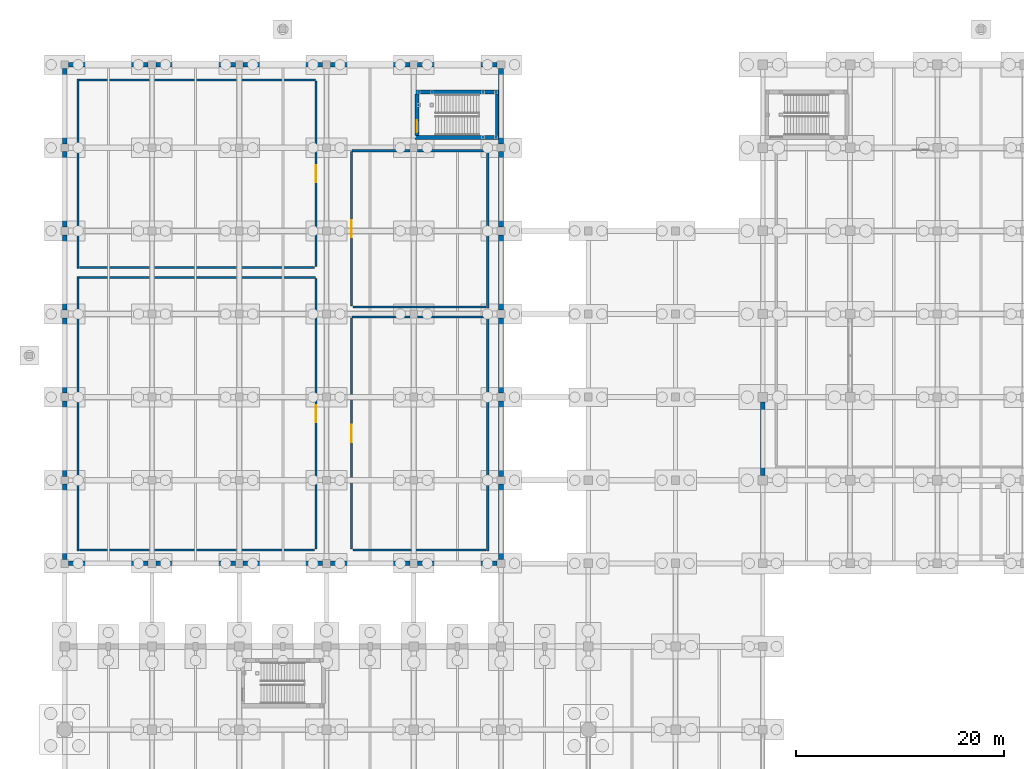
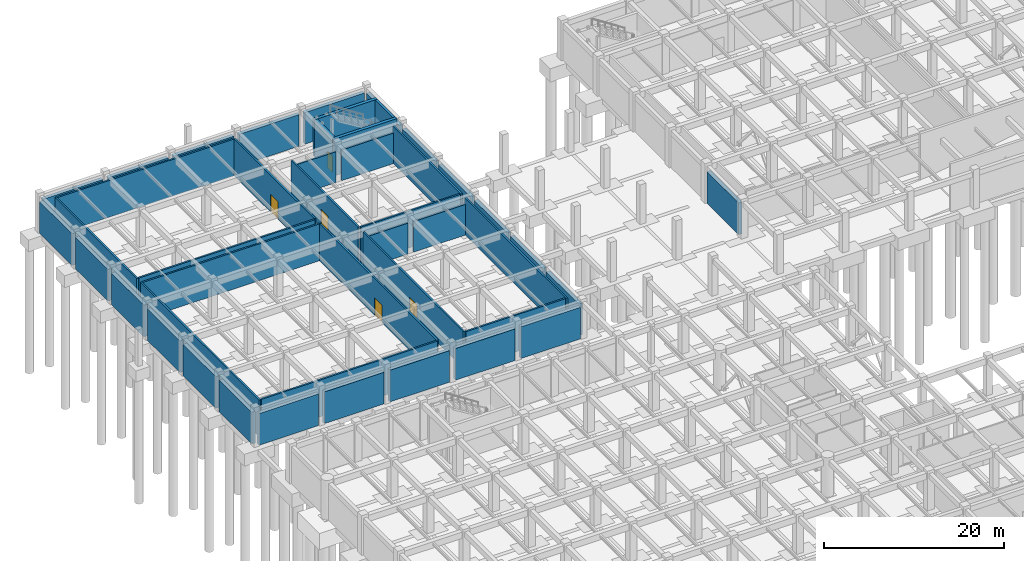
# One storey, part 39 of 56: 45 walls, 5 doors, 5 openings.
"""IFC4 building model written with IfcOpenShell, lengths in metres."""

from ifc_helpers import new_model, si_unit, direction, frame, frame_2d, origin, place, context, subcontext, project, spatial, rectangle, extrude, material, layer, layer_set, type_object, element, fill, save


model = new_model("IFC4")

# Units and contexts
model_context = context("Model", 3, precision=1e-05, world=origin(), true_north=direction((0.0, 1.0)))
body_context = subcontext(model_context, "Body", "Model", "MODEL_VIEW")
ifc_project = project(units=[si_unit("LENGTHUNIT", "METRE"), si_unit("AREAUNIT", "SQUARE_METRE"), si_unit("VOLUMEUNIT", "CUBIC_METRE"), si_unit("PLANEANGLEUNIT", "RADIAN"), si_unit("MASSUNIT", "GRAM", prefix="KILO")], contexts=[model_context])

# Site, building, storey
site_placement = place(None, origin())
site = spatial("IfcSite", under=ifc_project, at=site_placement, CompositionType="ELEMENT")
building_placement = place(site_placement, origin())
building = spatial("IfcBuilding", under=site, at=building_placement, Name="Naruveol Harbour Congress Hotel", CompositionType="ELEMENT")
storey_placement = place(building_placement, frame((0.0, 0.0, -5.39990234375)))
storey = spatial("IfcBuildingStorey", under=building, at=storey_placement, Name="B01", CompositionType="ELEMENT", Elevation=-5.39990234375)

# Wall, opening, door
ifc_material_1 = material(Name="Concrete C40/50", Category="concrete")
ifc_layer_1 = layer(ifc_material_1, 0.219970703125)
ifc_layer_set_1 = layer_set([ifc_layer_1], Name="Concrete C40/50")
wall_type_1 = type_object("IfcWallType", Name="FIRE COMPARTMENT AND LOBBY WALL 220 EI120", PredefinedType="PARTITIONING", material=ifc_layer_set_1)
wall_1_placement = place(storey_placement, frame((24.199951171875, 65.360107421875, 0.0), z_axis=(0.0, 0.0, 1.0), x_axis=(0.0, 1.0, 0.0)))
wall_1 = element("IfcWall", 1, at=wall_1_placement, inside=storey, type_object=wall_type_1, Name="Central Chiller and Heat-Pump Plant east entry wall FW-220", PredefinedType="PARTITIONING", context=body_context, shape_type="SweptSolid", body=[
    extrude(rectangle(XDim=26.079833984375, YDim=0.219970703125, at=frame_2d((13.0400390625, 0.0))), origin(), (0.0, 0.0, 1.0), 4.994873046875),
])
opening_1_placement = place(wall_1_placement, frame((12.215087890625, 0.0, 0.0)))
opening_1 = element("IfcOpeningElement", 2, at=opening_1_placement, cuts=wall_1, Name="Opening FD-PL-01", PredefinedType="OPENING", context=body_context, shape_type="SweptSolid", body=[
    extrude(rectangle(XDim=1.64990234375, YDim=2.39990234375, at=frame_2d((0.824951171875, 1.199951171875))), frame((0.0, 0.119873046875, 0.0), z_axis=(0.0, -1.0, 0.0), x_axis=(1.0, 0.0, 0.0)), (0.0, 0.0, 1.0), 0.239990234375),
])
ifc_material_2 = material(Name="Timber & Steel Acoustic Leaf", Category="steel")
door_type_1 = type_object("IfcDoorType", Name="PLANT AND SUBSTATION FIRE DOOR 1650X2400", OperationType="DOUBLE_DOOR_SINGLE_SWING", PredefinedType="DOOR", material=ifc_material_2)
door_1_placement = place(opening_1_placement, origin())
door_1 = element("IfcDoor", 3, at=door_1_placement, inside=storey, type_object=door_type_1, Name="Central Chiller and Heat-Pump Plant Fire Door", OperationType="DOUBLE_DOOR_SINGLE_SWING", OverallHeight=2.39990234375, OverallWidth=1.64990234375, PredefinedType="DOOR", context=body_context, shape_type="SweptSolid", body=[
    extrude(rectangle(XDim=1.64990234375, YDim=2.39990234375, at=frame_2d((0.824951171875, 1.199951171875))), frame((0.0, 0.02490234375, 0.0), z_axis=(0.0, -1.0, 0.0), x_axis=(1.0, 0.0, 0.0)), (0.0, 0.0, 1.0), 0.050048828125),
])
fill(opening_1, door_1)

# Wall
wall_2_placement = place(storey_placement, frame((1.449951171875, 65.280029296875, 0.0), z_axis=(0.0, 0.0, 1.0), x_axis=(1.0, 0.0, 0.0)))
element("IfcWall", 4, at=wall_2_placement, inside=storey, type_object=wall_type_1, Name="Central Chiller and Heat-Pump Plant south partition FW-220", PredefinedType="PARTITIONING", context=body_context, shape_type="SweptSolid", body=[
    extrude(rectangle(XDim=22.610107421875, YDim=0.219970703125, at=frame_2d((11.30517578125, 0.0))), origin(), (0.0, 0.0, 1.0), 4.994873046875),
])

# Wall, opening, door
wall_3_placement = place(storey_placement, frame((24.199951171875, 92.56005859375, 0.0), z_axis=(0.0, 0.0, 1.0), x_axis=(0.0, 1.0, 0.0)))
wall_3 = element("IfcWall", 5, at=wall_3_placement, inside=storey, type_object=wall_type_1, Name="Electrical Substation Room east entry wall FW-220", PredefinedType="PARTITIONING", context=body_context, shape_type="SweptSolid", body=[
    extrude(rectangle(XDim=17.8798828125, YDim=0.219970703125, at=frame_2d((8.93994140625, 0.0))), origin(), (0.0, 0.0, 1.0), 4.994873046875),
])
opening_2_placement = place(wall_3_placement, frame((8.114990234375, 0.0, 0.0)))
opening_2 = element("IfcOpeningElement", 6, at=opening_2_placement, cuts=wall_3, Name="Opening FD-PL-02", PredefinedType="OPENING", context=body_context, shape_type="SweptSolid", body=[
    extrude(rectangle(XDim=1.64990234375, YDim=2.39990234375, at=frame_2d((0.824951171875, 1.199951171875))), frame((0.0, 0.119873046875, 0.0), z_axis=(0.0, -1.0, 0.0), x_axis=(1.0, 0.0, 0.0)), (0.0, 0.0, 1.0), 0.239990234375),
])
door_2_placement = place(opening_2_placement, origin())
door_2 = element("IfcDoor", 7, at=door_2_placement, inside=storey, type_object=door_type_1, Name="Electrical Substation Room Fire Door", OperationType="DOUBLE_DOOR_SINGLE_SWING", OverallHeight=2.39990234375, OverallWidth=1.64990234375, PredefinedType="DOOR", context=body_context, shape_type="SweptSolid", body=[
    extrude(rectangle(XDim=1.64990234375, YDim=2.39990234375, at=frame_2d((0.824951171875, 1.199951171875))), frame((0.0, 0.02490234375, 0.0), z_axis=(0.0, -1.0, 0.0), x_axis=(1.0, 0.0, 0.0)), (0.0, 0.0, 1.0), 0.050048828125),
])
fill(opening_2, door_2)

# Wall
wall_4_placement = place(storey_placement, frame((1.449951171875, 92.47998046875, 0.0), z_axis=(0.0, 0.0, 1.0), x_axis=(1.0, 0.0, 0.0)))
element("IfcWall", 8, at=wall_4_placement, inside=storey, type_object=wall_type_1, Name="Electrical Substation Room south partition FW-220", PredefinedType="PARTITIONING", context=body_context, shape_type="SweptSolid", body=[
    extrude(rectangle(XDim=22.610107421875, YDim=0.219970703125, at=frame_2d((11.30517578125, 0.0))), origin(), (0.0, 0.0, 1.0), 4.994873046875),
])

# Wall, opening, door
wall_5_placement = place(storey_placement, frame((27.60009765625, 65.360107421875, 0.0), z_axis=(0.0, 0.0, 1.0), x_axis=(0.0, 1.0, 0.0)))
wall_5 = element("IfcWall", 9, at=wall_5_placement, inside=storey, type_object=wall_type_1, Name="Fire Water Tank and Pump Room west entry wall FW-220", PredefinedType="PARTITIONING", context=body_context, shape_type="SweptSolid", body=[
    extrude(rectangle(XDim=22.27978515625, YDim=0.219970703125, at=frame_2d((11.139892578125, 0.0))), origin(), (0.0, 0.0, 1.0), 4.994873046875),
])
opening_3_placement = place(wall_5_placement, frame((10.31494140625, 0.0, 0.0)))
opening_3 = element("IfcOpeningElement", 10, at=opening_3_placement, cuts=wall_5, Name="Opening FD-PL-03", PredefinedType="OPENING", context=body_context, shape_type="SweptSolid", body=[
    extrude(rectangle(XDim=1.64990234375, YDim=2.39990234375, at=frame_2d((0.824951171875, 1.199951171875))), frame((0.0, 0.119873046875, 0.0), z_axis=(0.0, -1.0, 0.0), x_axis=(1.0, 0.0, 0.0)), (0.0, 0.0, 1.0), 0.239990234375),
])
door_3_placement = place(opening_3_placement, origin())
door_3 = element("IfcDoor", 11, at=door_3_placement, inside=storey, type_object=door_type_1, Name="Fire Water Tank and Pump Room Fire Door", OperationType="DOUBLE_DOOR_SINGLE_SWING", OverallHeight=2.39990234375, OverallWidth=1.64990234375, PredefinedType="DOOR", context=body_context, shape_type="SweptSolid", body=[
    extrude(rectangle(XDim=1.64990234375, YDim=2.39990234375, at=frame_2d((0.824951171875, 1.199951171875))), frame((0.0, 0.02490234375, 0.0), z_axis=(0.0, -1.0, 0.0), x_axis=(1.0, 0.0, 0.0)), (0.0, 0.0, 1.0), 0.050048828125),
])
fill(opening_3, door_3)

# Wall
wall_6_placement = place(storey_placement, frame((27.739990234375, 65.280029296875, 0.0), z_axis=(0.0, 0.0, 1.0), x_axis=(1.0, 0.0, 0.0)))
element("IfcWall", 12, at=wall_6_placement, inside=storey, type_object=wall_type_1, Name="Fire Water Tank and Pump Room south partition FW-220", PredefinedType="PARTITIONING", context=body_context, shape_type="SweptSolid", body=[
    extrude(rectangle(XDim=12.81005859375, YDim=0.219970703125, at=frame_2d((6.405029296875, 0.0))), origin(), (0.0, 0.0, 1.0), 4.994873046875),
])

# Wall, opening, door
wall_7_placement = place(storey_placement, frame((27.60009765625, 88.760009765625, 0.0), z_axis=(0.0, 0.0, 1.0), x_axis=(0.0, 1.0, 0.0)))
wall_7 = element("IfcWall", 13, at=wall_7_placement, inside=storey, type_object=wall_type_1, Name="Emergency Generator Room west entry wall FW-220", PredefinedType="PARTITIONING", context=body_context, shape_type="SweptSolid", body=[
    extrude(rectangle(XDim=14.8798828125, YDim=0.219970703125, at=frame_2d((7.43994140625, 0.0))), origin(), (0.0, 0.0, 1.0), 4.994873046875),
])
opening_4_placement = place(wall_7_placement, frame((6.614990234375, 0.0, 0.0)))
opening_4 = element("IfcOpeningElement", 14, at=opening_4_placement, cuts=wall_7, Name="Opening FD-PL-04", PredefinedType="OPENING", context=body_context, shape_type="SweptSolid", body=[
    extrude(rectangle(XDim=1.64990234375, YDim=2.39990234375, at=frame_2d((0.824951171875, 1.199951171875))), frame((0.0, 0.119873046875, 0.0), z_axis=(0.0, -1.0, 0.0), x_axis=(1.0, 0.0, 0.0)), (0.0, 0.0, 1.0), 0.239990234375),
])
door_4_placement = place(opening_4_placement, origin())
door_4 = element("IfcDoor", 15, at=door_4_placement, inside=storey, type_object=door_type_1, Name="Emergency Generator Room Fire Door", OperationType="DOUBLE_DOOR_SINGLE_SWING", OverallHeight=2.39990234375, OverallWidth=1.64990234375, PredefinedType="DOOR", context=body_context, shape_type="SweptSolid", body=[
    extrude(rectangle(XDim=1.64990234375, YDim=2.39990234375, at=frame_2d((0.824951171875, 1.199951171875))), frame((0.0, 0.02490234375, 0.0), z_axis=(0.0, -1.0, 0.0), x_axis=(1.0, 0.0, 0.0)), (0.0, 0.0, 1.0), 0.050048828125),
])
fill(opening_4, door_4)

# Walls
wall_8_placement = place(storey_placement, frame((27.739990234375, 88.679931640625, 0.0), z_axis=(0.0, 0.0, 1.0), x_axis=(1.0, 0.0, 0.0)))
element("IfcWall", 16, at=wall_8_placement, inside=storey, type_object=wall_type_1, Name="Emergency Generator Room south partition FW-220", PredefinedType="PARTITIONING", context=body_context, shape_type="SweptSolid", body=[
    extrude(rectangle(XDim=12.81005859375, YDim=0.219970703125, at=frame_2d((6.405029296875, 0.0))), origin(), (0.0, 0.0, 1.0), 4.994873046875),
])
wall_9_placement = place(storey_placement, frame((1.280029296875, 65.199951171875, 0.0), z_axis=(0.0, 0.0, 1.0), x_axis=(0.0, 1.0, 0.0)))
element("IfcWall", 17, at=wall_9_placement, inside=storey, type_object=wall_type_1, Name="Central Chiller and Heat-Pump Plant west enclosure partition FW-220", PredefinedType="PARTITIONING", context=body_context, shape_type="SweptSolid", body=[
    extrude(rectangle(XDim=26.400146484375, YDim=0.219970703125, at=frame_2d((13.2001953125, 0.0))), origin(), (0.0, 0.0, 1.0), 4.994873046875),
])
wall_10_placement = place(storey_placement, frame((1.389892578125, 91.52001953125, 0.0), z_axis=(0.0, 0.0, 1.0), x_axis=(1.0, 0.0, 0.0)))
element("IfcWall", 18, at=wall_10_placement, inside=storey, type_object=wall_type_1, Name="Central Chiller and Heat-Pump Plant north enclosure partition FW-220", PredefinedType="PARTITIONING", context=body_context, shape_type="SweptSolid", body=[
    extrude(rectangle(XDim=22.758056640625, YDim=0.219970703125, at=frame_2d((11.37890625, 0.0))), origin(), (0.0, 0.0, 1.0), 4.994873046875),
])
wall_11_placement = place(storey_placement, frame((1.280029296875, 92.39990234375, 0.0), z_axis=(0.0, 0.0, 1.0), x_axis=(0.0, 1.0, 0.0)))
element("IfcWall", 19, at=wall_11_placement, inside=storey, type_object=wall_type_1, Name="Electrical Substation Room west enclosure partition FW-220", PredefinedType="PARTITIONING", context=body_context, shape_type="SweptSolid", body=[
    extrude(rectangle(XDim=18.2001953125, YDim=0.219970703125, at=frame_2d((9.10009765625, 0.0))), origin(), (0.0, 0.0, 1.0), 4.994873046875),
])
wall_12_placement = place(storey_placement, frame((1.389892578125, 110.52001953125, 0.0), z_axis=(0.0, 0.0, 1.0), x_axis=(1.0, 0.0, 0.0)))
element("IfcWall", 20, at=wall_12_placement, inside=storey, type_object=wall_type_1, Name="Electrical Substation Room north enclosure partition FW-220", PredefinedType="PARTITIONING", context=body_context, shape_type="SweptSolid", body=[
    extrude(rectangle(XDim=22.758056640625, YDim=0.219970703125, at=frame_2d((11.37890625, 0.0))), origin(), (0.0, 0.0, 1.0), 4.994873046875),
])
wall_13_placement = place(storey_placement, frame((40.719970703125, 65.199951171875, 0.0), z_axis=(0.0, 0.0, 1.0), x_axis=(0.0, 1.0, 0.0)))
element("IfcWall", 21, at=wall_13_placement, inside=storey, type_object=wall_type_1, Name="Fire Water Tank and Pump Room east enclosure partition FW-220", PredefinedType="PARTITIONING", context=body_context, shape_type="SweptSolid", body=[
    extrude(rectangle(XDim=22.60009765625, YDim=0.219970703125, at=frame_2d((11.300048828125, 0.0))), origin(), (0.0, 0.0, 1.0), 4.994873046875),
])
wall_14_placement = place(storey_placement, frame((27.652099609375, 87.719970703125, 0.0), z_axis=(0.0, 0.0, 1.0), x_axis=(1.0, 0.0, 0.0)))
element("IfcWall", 22, at=wall_14_placement, inside=storey, type_object=wall_type_1, Name="Fire Water Tank and Pump Room north enclosure partition FW-220", PredefinedType="PARTITIONING", context=body_context, shape_type="SweptSolid", body=[
    extrude(rectangle(XDim=5.572998046875, YDim=0.219970703125, at=frame_2d((2.78662109375, 0.0))), origin(), (0.0, 0.0, 1.0), 4.199951171875),
])
wall_15_placement = place(storey_placement, frame((33.97509765625, 87.719970703125, 0.0), z_axis=(0.0, 0.0, 1.0), x_axis=(1.0, 0.0, 0.0)))
element("IfcWall", 23, at=wall_15_placement, inside=storey, type_object=wall_type_1, Name="Fire Water Tank and Pump Room north enclosure partition FW-220", PredefinedType="PARTITIONING", context=body_context, shape_type="SweptSolid", body=[
    extrude(rectangle(XDim=6.635009765625, YDim=0.219970703125, at=frame_2d((3.3173828125, 0.0))), origin(), (0.0, 0.0, 1.0), 4.14990234375),
])
wall_16_placement = place(storey_placement, frame((40.719970703125, 88.60009765625, 0.0), z_axis=(0.0, 0.0, 1.0), x_axis=(0.0, 1.0, 0.0)))
element("IfcWall", 24, at=wall_16_placement, inside=storey, type_object=wall_type_1, Name="Emergency Generator Room east enclosure partition FW-220", PredefinedType="PARTITIONING", context=body_context, shape_type="SweptSolid", body=[
    extrude(rectangle(XDim=15.199951171875, YDim=0.219970703125, at=frame_2d((7.60009765625, 0.0))), origin(), (0.0, 0.0, 1.0), 4.994873046875),
])
wall_17_placement = place(storey_placement, frame((27.652099609375, 103.719970703125, 0.0), z_axis=(0.0, 0.0, 1.0), x_axis=(1.0, 0.0, 0.0)))
element("IfcWall", 25, at=wall_17_placement, inside=storey, type_object=wall_type_1, Name="Emergency Generator Room north enclosure partition FW-220", PredefinedType="PARTITIONING", context=body_context, shape_type="SweptSolid", body=[
    extrude(rectangle(XDim=5.572998046875, YDim=0.219970703125, at=frame_2d((2.78662109375, 0.0))), origin(), (0.0, 0.0, 1.0), 4.199951171875),
])
wall_18_placement = place(storey_placement, frame((33.97509765625, 103.719970703125, 0.0), z_axis=(0.0, 0.0, 1.0), x_axis=(1.0, 0.0, 0.0)))
element("IfcWall", 26, at=wall_18_placement, inside=storey, type_object=wall_type_1, Name="Emergency Generator Room north enclosure partition FW-220", PredefinedType="PARTITIONING", context=body_context, shape_type="SweptSolid", body=[
    extrude(rectangle(XDim=6.635009765625, YDim=0.219970703125, at=frame_2d((3.3173828125, 0.0))), origin(), (0.0, 0.0, 1.0), 4.14990234375),
])
ifc_material_3 = material(Name="Concrete C40/50", Category="concrete")
ifc_layer_2 = layer(ifc_material_3, 0.449951171875)
ifc_layer_set_2 = layer_set([ifc_layer_2], Name="Concrete C40/50")
wall_type_2 = type_object("IfcWallType", Name="RC BASEMENT RETAINING WALL 450", PredefinedType="USERDEFINED", material=ifc_layer_set_2)
wall_19_placement = place(storey_placement, frame((41.625, 64.0, 0.0), z_axis=(0.0, 0.0, 1.0), x_axis=(-1.0, 0.0, 0.0)))
element("IfcWall", 27, at=wall_19_placement, inside=storey, type_object=wall_type_2, Name="Basement spa south wall RW-450", ObjectType="RETAININGWALL", PredefinedType="USERDEFINED", context=body_context, shape_type="SweptSolid", body=[
    extrude(rectangle(XDim=7.64990234375, YDim=0.449951171875, at=frame_2d((3.824951171875, 0.0))), origin(), (0.0, 0.0, 1.0), 4.2998046875),
])
wall_20_placement = place(storey_placement, frame((33.22509765625, 64.0, 0.0), z_axis=(0.0, 0.0, 1.0), x_axis=(-1.0, 0.0, 0.0)))
element("IfcWall", 28, at=wall_20_placement, inside=storey, type_object=wall_type_2, Name="Basement spa south wall RW-450", ObjectType="RETAININGWALL", PredefinedType="USERDEFINED", context=body_context, shape_type="SweptSolid", body=[
    extrude(rectangle(XDim=7.650146484375, YDim=0.449951171875, at=frame_2d((3.8251953125, 0.0))), origin(), (0.0, 0.0, 1.0), 4.2998046875),
])
wall_21_placement = place(storey_placement, frame((24.824951171875, 64.0, 0.0), z_axis=(0.0, 0.0, 1.0), x_axis=(-1.0, 0.0, 0.0)))
element("IfcWall", 29, at=wall_21_placement, inside=storey, type_object=wall_type_2, Name="Basement spa south wall RW-450", ObjectType="RETAININGWALL", PredefinedType="USERDEFINED", context=body_context, shape_type="SweptSolid", body=[
    extrude(rectangle(XDim=7.64990234375, YDim=0.449951171875, at=frame_2d((3.824951171875, 0.0))), origin(), (0.0, 0.0, 1.0), 4.2998046875),
])
wall_22_placement = place(storey_placement, frame((16.425048828125, 64.0, 0.0), z_axis=(0.0, 0.0, 1.0), x_axis=(-1.0, 0.0, 0.0)))
element("IfcWall", 30, at=wall_22_placement, inside=storey, type_object=wall_type_2, Name="Basement spa south wall RW-450", ObjectType="RETAININGWALL", PredefinedType="USERDEFINED", context=body_context, shape_type="SweptSolid", body=[
    extrude(rectangle(XDim=7.650146484375, YDim=0.449951171875, at=frame_2d((3.8251953125, 0.0))), origin(), (0.0, 0.0, 1.0), 4.2998046875),
])
wall_23_placement = place(storey_placement, frame((8.02490234375, 64.0, 0.0), z_axis=(0.0, 0.0, 1.0), x_axis=(-1.0, 0.0, 0.0)))
element("IfcWall", 31, at=wall_23_placement, inside=storey, type_object=wall_type_2, Name="Basement spa south wall RW-450", ObjectType="RETAININGWALL", PredefinedType="USERDEFINED", context=body_context, shape_type="SweptSolid", body=[
    extrude(rectangle(XDim=7.64990234375, YDim=0.449951171875, at=frame_2d((3.824951171875, 0.0))), origin(), (0.0, 0.0, 1.0), 4.2998046875),
])
for number, where, z_axis, x_axis, name in (
    (32, (0.0, 64.375, 0.0), (0.0, 0.0, 1.0), (0.0, 1.0, 0.0), "Basement spa west wall RW-450"),
    (33, (0.0, 72.375, 0.0), (0.0, 0.0, 1.0), (0.0, 1.0, 0.0), "Basement spa west wall RW-450"),
    (34, (0.0, 80.375, 0.0), (0.0, 0.0, 1.0), (0.0, 1.0, 0.0), "Basement spa west wall RW-450"),
    (35, (0.0, 88.375, 0.0), (0.0, 0.0, 1.0), (0.0, 1.0, 0.0), "Basement spa west wall RW-450"),
    (36, (0.0, 96.375, 0.0), (0.0, 0.0, 1.0), (0.0, 1.0, 0.0), "Basement spa west wall RW-450"),
    (37, (0.0, 104.375, 0.0), (0.0, 0.0, 1.0), (0.0, 1.0, 0.0), "Basement spa west wall RW-450"),
):
    element("IfcWall", number, at=place(storey_placement, frame(where, z_axis=z_axis, x_axis=x_axis)), inside=storey, type_object=wall_type_2, Name=name, ObjectType="RETAININGWALL", PredefinedType="USERDEFINED", context=body_context, shape_type="SweptSolid", body=[
        extrude(rectangle(XDim=7.25, YDim=0.449951171875, at=frame_2d((3.625, 0.0))), origin(), (0.0, 0.0, 1.0), 4.2998046875),
    ])
wall_24_placement = place(storey_placement, frame((0.375, 112.0, 0.0), z_axis=(0.0, 0.0, 1.0), x_axis=(1.0, 0.0, 0.0)))
element("IfcWall", 38, at=wall_24_placement, inside=storey, type_object=wall_type_2, Name="Basement spa north wall RW-450", ObjectType="RETAININGWALL", PredefinedType="USERDEFINED", context=body_context, shape_type="SweptSolid", body=[
    extrude(rectangle(XDim=7.64990234375, YDim=0.449951171875, at=frame_2d((3.824951171875, 0.0))), origin(), (0.0, 0.0, 1.0), 4.2998046875),
])
wall_25_placement = place(storey_placement, frame((8.77490234375, 112.0, 0.0), z_axis=(0.0, 0.0, 1.0), x_axis=(1.0, 0.0, 0.0)))
element("IfcWall", 39, at=wall_25_placement, inside=storey, type_object=wall_type_2, Name="Basement spa north wall RW-450", ObjectType="RETAININGWALL", PredefinedType="USERDEFINED", context=body_context, shape_type="SweptSolid", body=[
    extrude(rectangle(XDim=7.650146484375, YDim=0.449951171875, at=frame_2d((3.8251953125, 0.0))), origin(), (0.0, 0.0, 1.0), 4.2998046875),
])
wall_26_placement = place(storey_placement, frame((17.175048828125, 112.0, 0.0), z_axis=(0.0, 0.0, 1.0), x_axis=(1.0, 0.0, 0.0)))
element("IfcWall", 40, at=wall_26_placement, inside=storey, type_object=wall_type_2, Name="Basement spa north wall RW-450", ObjectType="RETAININGWALL", PredefinedType="USERDEFINED", context=body_context, shape_type="SweptSolid", body=[
    extrude(rectangle(XDim=7.64990234375, YDim=0.449951171875, at=frame_2d((3.824951171875, 0.0))), origin(), (0.0, 0.0, 1.0), 4.2998046875),
])
wall_27_placement = place(storey_placement, frame((25.574951171875, 112.0, 0.0), z_axis=(0.0, 0.0, 1.0), x_axis=(1.0, 0.0, 0.0)))
element("IfcWall", 41, at=wall_27_placement, inside=storey, type_object=wall_type_2, Name="Basement spa north wall RW-450", ObjectType="RETAININGWALL", PredefinedType="USERDEFINED", context=body_context, shape_type="SweptSolid", body=[
    extrude(rectangle(XDim=7.650146484375, YDim=0.449951171875, at=frame_2d((3.8251953125, 0.0))), origin(), (0.0, 0.0, 1.0), 4.2998046875),
])
wall_28_placement = place(storey_placement, frame((33.97509765625, 112.0, 0.0), z_axis=(0.0, 0.0, 1.0), x_axis=(1.0, 0.0, 0.0)))
element("IfcWall", 42, at=wall_28_placement, inside=storey, type_object=wall_type_2, Name="Basement spa north wall RW-450", ObjectType="RETAININGWALL", PredefinedType="USERDEFINED", context=body_context, shape_type="SweptSolid", body=[
    extrude(rectangle(XDim=7.64990234375, YDim=0.449951171875, at=frame_2d((3.824951171875, 0.0))), origin(), (0.0, 0.0, 1.0), 4.2998046875),
])
for number, where, z_axis, x_axis, name in (
    (43, (42.0, 111.625, 0.0), (0.0, 0.0, 1.0), (0.0, -1.0, 0.0), "Basement spa east wall RW-450"),
    (44, (42.0, 103.625, 0.0), (0.0, 0.0, 1.0), (0.0, -1.0, 0.0), "Basement spa east wall RW-450"),
    (45, (42.0, 95.625, 0.0), (0.0, 0.0, 1.0), (0.0, -1.0, 0.0), "Basement spa east wall RW-450"),
    (46, (42.0, 87.625, 0.0), (0.0, 0.0, 1.0), (0.0, -1.0, 0.0), "Basement spa east wall RW-450"),
    (47, (42.0, 79.625, 0.0), (0.0, 0.0, 1.0), (0.0, -1.0, 0.0), "Basement spa east wall RW-450"),
    (48, (42.0, 71.625, 0.0), (0.0, 0.0, 1.0), (0.0, -1.0, 0.0), "Basement spa east wall RW-450"),
):
    element("IfcWall", number, at=place(storey_placement, frame(where, z_axis=z_axis, x_axis=x_axis)), inside=storey, type_object=wall_type_2, Name=name, ObjectType="RETAININGWALL", PredefinedType="USERDEFINED", context=body_context, shape_type="SweptSolid", body=[
        extrude(rectangle(XDim=7.25, YDim=0.449951171875, at=frame_2d((3.625, 0.0))), origin(), (0.0, 0.0, 1.0), 4.2998046875),
    ])
wall_29_placement = place(storey_placement, frame((67.199951171875, 72.449951171875, 0.0), z_axis=(0.0, 0.0, 1.0), x_axis=(0.0, 1.0, 0.0)))
element("IfcWall", 49, at=wall_29_placement, inside=storey, type_object=wall_type_2, Name="Basement ballroom west wall RW-450", ObjectType="RETAININGWALL", PredefinedType="USERDEFINED", context=body_context, shape_type="SweptSolid", body=[
    extrude(rectangle(XDim=7.10009765625, YDim=0.449951171875, at=frame_2d((3.550048828125, 0.0))), origin(), (0.0, 0.0, 1.0), 4.2998046875),
])
ifc_material_4 = material(Name="Concrete C50/60", Category="concrete")
ifc_layer_3 = layer(ifc_material_4, 0.39990234375)
ifc_layer_set_3 = layer_set([ifc_layer_3], Name="Concrete C50/60")
wall_type_3 = type_object("IfcWallType", Name="RC CORE SHEAR WALL 400 EI120", PredefinedType="SHEAR", material=ifc_layer_set_3)
for number, where, z_axis, x_axis, name in (
    (50, (33.699951171875, 105.0, 0.0), (0.0, 0.0, 1.0), (1.0, 0.0, 0.0), "Stair ST7 south core wall CW-400"),
    (51, (33.699951171875, 109.360107421875, 0.0), (0.0, 0.0, 1.0), (1.0, 0.0, 0.0), "Stair ST7 north core wall CW-400"),
):
    element("IfcWall", number, at=place(storey_placement, frame(where, z_axis=z_axis, x_axis=x_axis)), inside=storey, type_object=wall_type_3, Name=name, PredefinedType="SHEAR", context=body_context, shape_type="SweptSolid", body=[
        extrude(rectangle(XDim=8.074951171875, YDim=0.39990234375, at=frame_2d((4.03759765625, 0.0))), origin(), (0.0, 0.0, 1.0), 4.994873046875),
    ])

# Wall, opening, door
wall_30_placement = place(storey_placement, frame((33.89990234375, 105.205078125, 0.0), z_axis=(0.0, 0.0, 1.0), x_axis=(0.0, 1.0, 0.0)))
wall_30 = element("IfcWall", 52, at=wall_30_placement, inside=storey, type_object=wall_type_3, Name="Stair ST7 west core wall CW-400", PredefinedType="SHEAR", context=body_context, shape_type="SweptSolid", body=[
    extrude(rectangle(XDim=3.949951171875, YDim=0.39990234375, at=frame_2d((1.97509765625, 0.0))), origin(), (0.0, 0.0, 1.0), 4.994873046875),
])
opening_5_placement = place(wall_30_placement, frame((0.280029296875, 0.0, 0.0)))
opening_5 = element("IfcOpeningElement", 53, at=opening_5_placement, cuts=wall_30, Name="Opening FD-ST7-B01", PredefinedType="OPENING", context=body_context, shape_type="SweptSolid", body=[
    extrude(rectangle(XDim=1.159912109375, YDim=2.199951171875, at=frame_2d((0.580078125, 1.10009765625))), frame((0.0, 0.2099609375, 0.0), z_axis=(0.0, -1.0, 0.0), x_axis=(1.0, 0.0, 0.0)), (0.0, 0.0, 1.0), 0.419921875),
])
ifc_material_5 = material(Name="Timber & Steel Acoustic Leaf", Category="steel")
door_type_2 = type_object("IfcDoorType", Name="SPECIAL ESCAPE STAIR FIRE DOOR 1160X2200", OperationType="NOTDEFINED", PredefinedType="DOOR", material=ifc_material_5)
door_5_placement = place(opening_5_placement, origin())
door_5 = element("IfcDoor", 54, at=door_5_placement, inside=storey, type_object=door_type_2, Name="Enclosed Exit Stair Door ST7 B01", OperationType="SINGLE_SWING_RIGHT", OverallHeight=2.199951171875, OverallWidth=1.159912109375, PredefinedType="DOOR", context=body_context, shape_type="SweptSolid", body=[
    extrude(rectangle(XDim=1.159912109375, YDim=2.199951171875, at=frame_2d((0.580078125, 1.10009765625))), frame((0.0, 0.02490234375, 0.0), z_axis=(0.0, -1.0, 0.0), x_axis=(1.0, 0.0, 0.0)), (0.0, 0.0, 1.0), 0.050048828125),
])
fill(opening_5, door_5)

# Wall
ifc_material_6 = material(Name="Concrete C50/60", Category="concrete")
ifc_layer_4 = layer(ifc_material_6, 0.300048828125)
ifc_layer_set_4 = layer_set([ifc_layer_4], Name="Concrete C50/60")
wall_type_4 = type_object("IfcWallType", Name="RC STAIR AND HOISTWAY SHEAR WALL 300 EI120", PredefinedType="SHEAR", material=ifc_layer_set_4)
wall_31_placement = place(storey_placement, frame((41.610107421875, 105.205078125, 0.0), z_axis=(0.0, 0.0, 1.0), x_axis=(0.0, 1.0, 0.0)))
element("IfcWall", 55, at=wall_31_placement, inside=storey, type_object=wall_type_4, Name="Stair ST7 east core wall SW-300", PredefinedType="SHEAR", context=body_context, shape_type="SweptSolid", body=[
    extrude(rectangle(XDim=3.949951171875, YDim=0.300048828125, at=frame_2d((1.97509765625, 0.0))), origin(), (0.0, 0.0, 1.0), 4.994873046875),
])

save(model, "model.ifc")
